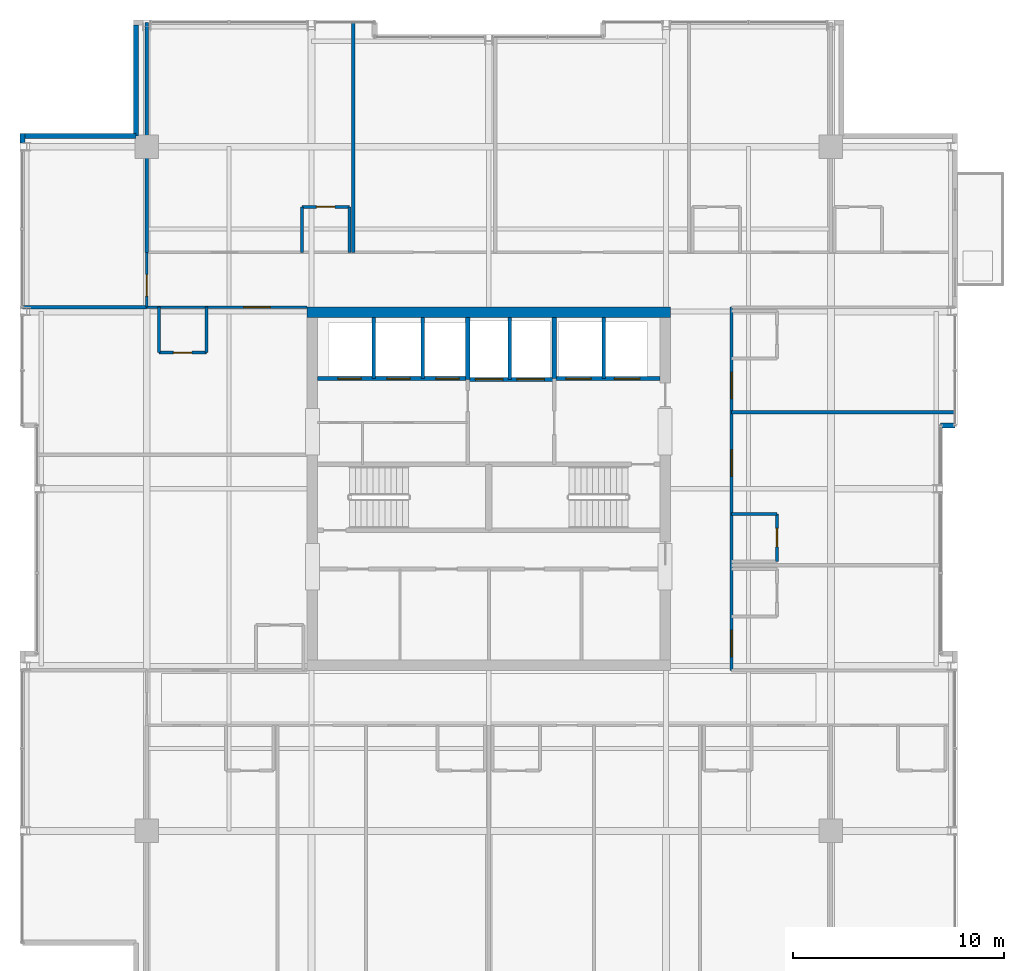
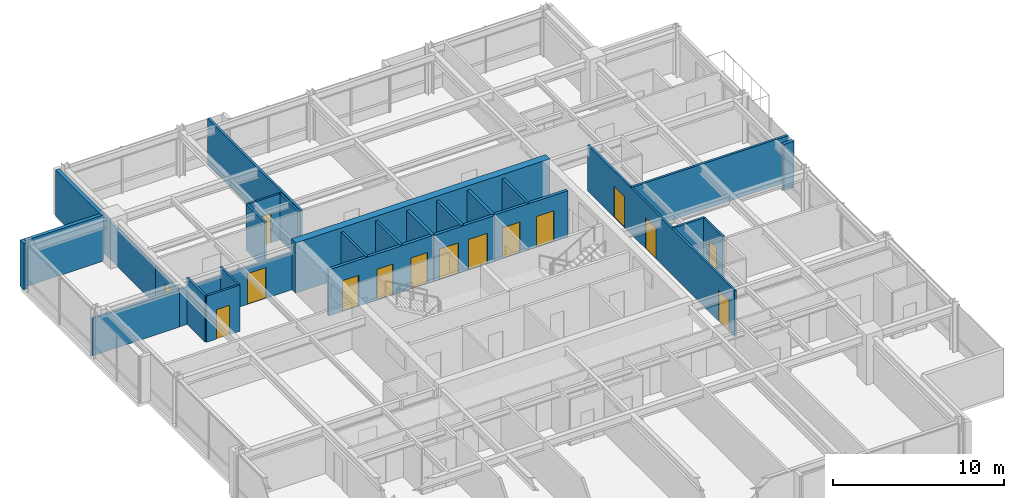
# One storey, part 30 of 34: 29 walls, 15 doors, 15 openings.
"""IFC4 building model written with IfcOpenShell, lengths in metres."""

from ifc_helpers import new_model, si_unit, direction, frame, frame_2d, origin, place, context, subcontext, project, spatial, rectangle, extrude, material, layer, layer_set, type_object, element, fill, save


model = new_model("IFC4")

# Units and contexts
model_context = context("Model", 3, precision=1e-05, world=origin(), true_north=direction((0.0, 1.0)))
body_context = subcontext(model_context, "Body", "Model", "MODEL_VIEW")
ifc_project = project(units=[si_unit("LENGTHUNIT", "METRE"), si_unit("AREAUNIT", "SQUARE_METRE"), si_unit("VOLUMEUNIT", "CUBIC_METRE"), si_unit("PLANEANGLEUNIT", "RADIAN"), si_unit("MASSUNIT", "GRAM", prefix="KILO")], contexts=[model_context])

# Site, building, storey
site_placement = place(None, origin())
site = spatial("IfcSite", under=ifc_project, at=site_placement, CompositionType="ELEMENT")
building_placement = place(site_placement, origin())
building = spatial("IfcBuilding", under=site, at=building_placement, Name="Drelvath Grand Hotel", CompositionType="ELEMENT")
storey_placement = place(building_placement, frame((0.0, 0.0, 251.89990234375)))
storey = spatial("IfcBuildingStorey", under=building, at=storey_placement, Name="L66", CompositionType="ELEMENT", Elevation=251.89990234375)

# Wall, openings, doors
ifc_material_1 = material(Name="Concrete C40/50", Category="concrete")
ifc_layer_1 = layer(ifc_material_1, 0.199951171875)
ifc_layer_set_1 = layer_set([ifc_layer_1], Name="Concrete C40/50")
wall_type_1 = type_object("IfcWallType", Name="Core Hoistway Fire Wall 200", PredefinedType="SOLIDWALL", material=ifc_layer_set_1)
wall_1_placement = place(storey_placement, frame((3.10009765625, 32.219970703125, 0.0), z_axis=(0.0, 0.0, 1.0), x_axis=(1.0, 0.0, 0.0)))
wall_1 = element("IfcWall", 1, at=wall_1_placement, inside=storey, type_object=wall_type_1, Name="L66 FSAE Hoistway Front Wall", PredefinedType="SOLIDWALL", context=body_context, shape_type="SweptSolid", body=[
    extrude(rectangle(XDim=5.0, YDim=0.199951171875, at=frame_2d((2.5, 0.0))), origin(), (0.0, 0.0, 1.0), 3.300048828125),
])
opening_1_placement = place(wall_1_placement, frame((0.550048828125, 0.0, 0.0)))
opening_1 = element("IfcOpeningElement", 2, at=opening_1_placement, cuts=wall_1, Name="Opening LD-FSAE-1", PredefinedType="OPENING", context=body_context, shape_type="SweptSolid", body=[
    extrude(rectangle(XDim=1.199951171875, YDim=2.199951171875, at=frame_2d((0.60009765625, 1.10009765625))), frame((0.0, 0.10986328125, 0.0), z_axis=(0.0, -1.0, 0.0), x_axis=(1.0, 0.0, 0.0)), (0.0, 0.0, 1.0), 0.219970703125),
])
opening_2_placement = place(wall_1_placement, frame((2.85009765625, 0.0, 0.0)))
opening_2 = element("IfcOpeningElement", 3, at=opening_2_placement, cuts=wall_1, Name="Opening LD-FSAE-2", PredefinedType="OPENING", context=body_context, shape_type="SweptSolid", body=[
    extrude(rectangle(XDim=1.199951171875, YDim=2.199951171875, at=frame_2d((0.60009765625, 1.10009765625))), frame((0.0, 0.10986328125, 0.0), z_axis=(0.0, -1.0, 0.0), x_axis=(1.0, 0.0, 0.0)), (0.0, 0.0, 1.0), 0.219970703125),
])
ifc_material_2 = material(Name="Stainless Steel S355", Category="steel")
door_type_1 = type_object("IfcDoorType", Name="FSAE Lift Sliding Landing Door 1200x2200", OperationType="NOTDEFINED", PredefinedType="DOOR", material=ifc_material_2)
door_1_placement = place(opening_1_placement, origin())
door_1 = element("IfcDoor", 4, at=door_1_placement, inside=storey, type_object=door_type_1, Name="L66 Lift FSAE-1 Landing Door", OperationType="SLIDING_TO_LEFT", OverallHeight=2.199951171875, OverallWidth=1.199951171875, PredefinedType="DOOR", context=body_context, shape_type="SweptSolid", body=[
    extrude(rectangle(XDim=1.199951171875, YDim=2.199951171875, at=frame_2d((0.60009765625, 1.10009765625))), frame((0.0, 0.02490234375, 0.0), z_axis=(0.0, -1.0, 0.0), x_axis=(1.0, 0.0, 0.0)), (0.0, 0.0, 1.0), 0.050048828125),
])
fill(opening_1, door_1)
door_2_placement = place(opening_2_placement, origin())
door_2 = element("IfcDoor", 5, at=door_2_placement, inside=storey, type_object=door_type_1, Name="L66 Lift FSAE-2 Landing Door", OperationType="SLIDING_TO_LEFT", OverallHeight=2.199951171875, OverallWidth=1.199951171875, PredefinedType="DOOR", context=body_context, shape_type="SweptSolid", body=[
    extrude(rectangle(XDim=1.199951171875, YDim=2.199951171875, at=frame_2d((0.60009765625, 1.10009765625))), frame((0.0, 0.02490234375, 0.0), z_axis=(0.0, -1.0, 0.0), x_axis=(1.0, 0.0, 0.0)), (0.0, 0.0, 1.0), 0.050048828125),
])
fill(opening_2, door_2)

# Wall
wall_2_placement = place(storey_placement, frame((3.10009765625, 32.219970703125, 0.0), z_axis=(0.0, 0.0, 1.0), x_axis=(0.0, 1.0, 0.0)))
element("IfcWall", 6, at=wall_2_placement, inside=storey, type_object=wall_type_1, Name="L66 FSAE Hoistway West Wall", PredefinedType="SOLIDWALL", context=body_context, shape_type="SweptSolid", body=[
    extrude(rectangle(XDim=2.880126953125, YDim=0.199951171875, at=frame_2d((1.43994140625, 0.0))), origin(), (0.0, 0.0, 1.0), 3.300048828125),
])

# Wall, openings, doors
wall_3_placement = place(storey_placement, frame((-1.0, 32.179931640625, 0.0), z_axis=(0.0, 0.0, 1.0), x_axis=(1.0, 0.0, 0.0)))
wall_3 = element("IfcWall", 7, at=wall_3_placement, inside=storey, type_object=wall_type_1, Name="L66 Service Lift Hoistway Wall", PredefinedType="SOLIDWALL", context=body_context, shape_type="SweptSolid", body=[
    extrude(rectangle(XDim=4.10009765625, YDim=0.199951171875, at=frame_2d((2.050048828125, 0.0))), origin(), (0.0, 0.0, 1.0), 3.300048828125),
])
opening_3_placement = place(wall_3_placement, frame((0.3701171875, 0.0, 0.0)))
opening_3 = element("IfcOpeningElement", 8, at=opening_3_placement, cuts=wall_3, Name="Opening LD-SV-2", PredefinedType="OPENING", context=body_context, shape_type="SweptSolid", body=[
    extrude(rectangle(XDim=1.300048828125, YDim=2.199951171875, at=frame_2d((0.64990234375, 1.10009765625))), frame((0.0, 0.10986328125, 0.0), z_axis=(0.0, -1.0, 0.0), x_axis=(1.0, 0.0, 0.0)), (0.0, 0.0, 1.0), 0.219970703125),
])
opening_4_placement = place(wall_3_placement, frame((2.330078125, 0.0, 0.0)))
opening_4 = element("IfcOpeningElement", 9, at=opening_4_placement, cuts=wall_3, Name="Opening LD-SV-1", PredefinedType="OPENING", context=body_context, shape_type="SweptSolid", body=[
    extrude(rectangle(XDim=1.300048828125, YDim=2.199951171875, at=frame_2d((0.64990234375, 1.10009765625))), frame((0.0, 0.10986328125, 0.0), z_axis=(0.0, -1.0, 0.0), x_axis=(1.0, 0.0, 0.0)), (0.0, 0.0, 1.0), 0.219970703125),
])
door_type_2 = type_object("IfcDoorType", Name="Service Lift Sliding Landing Door 1300x2200", OperationType="NOTDEFINED", PredefinedType="DOOR", material=ifc_material_2)
door_3_placement = place(opening_3_placement, origin())
door_3 = element("IfcDoor", 10, at=door_3_placement, inside=storey, type_object=door_type_2, Name="L66 Lift SV-2 Landing Door", OperationType="SLIDING_TO_LEFT", OverallHeight=2.199951171875, OverallWidth=1.300048828125, PredefinedType="DOOR", context=body_context, shape_type="SweptSolid", body=[
    extrude(rectangle(XDim=1.300048828125, YDim=2.199951171875, at=frame_2d((0.64990234375, 1.10009765625))), frame((0.0, 0.02490234375, 0.0), z_axis=(0.0, -1.0, 0.0), x_axis=(1.0, 0.0, 0.0)), (0.0, 0.0, 1.0), 0.050048828125),
])
fill(opening_3, door_3)
door_4_placement = place(opening_4_placement, origin())
door_4 = element("IfcDoor", 11, at=door_4_placement, inside=storey, type_object=door_type_2, Name="L66 Lift SV-1 Landing Door", OperationType="SLIDING_TO_LEFT", OverallHeight=2.199951171875, OverallWidth=1.300048828125, PredefinedType="DOOR", context=body_context, shape_type="SweptSolid", body=[
    extrude(rectangle(XDim=1.300048828125, YDim=2.199951171875, at=frame_2d((0.64990234375, 1.10009765625))), frame((0.0, 0.02490234375, 0.0), z_axis=(0.0, -1.0, 0.0), x_axis=(1.0, 0.0, 0.0)), (0.0, 0.0, 1.0), 0.050048828125),
])
fill(opening_4, door_4)

# Wall
wall_4_placement = place(storey_placement, frame((-1.0, 32.179931640625, 0.0), z_axis=(0.0, 0.0, 1.0), x_axis=(0.0, 1.0, 0.0)))
element("IfcWall", 12, at=wall_4_placement, inside=storey, type_object=wall_type_1, Name="L66 Service Lift West Wall", PredefinedType="SOLIDWALL", context=body_context, shape_type="SweptSolid", body=[
    extrude(rectangle(XDim=2.920166015625, YDim=0.199951171875, at=frame_2d((1.4599609375, 0.0))), origin(), (0.0, 0.0, 1.0), 3.300048828125),
])

# Wall, openings, doors
wall_5_placement = place(storey_placement, frame((-8.10009765625, 32.219970703125, 0.0), z_axis=(0.0, 0.0, 1.0), x_axis=(1.0, 0.0, 0.0)))
wall_5 = element("IfcWall", 13, at=wall_5_placement, inside=storey, type_object=wall_type_1, Name="L66 Bank 3 Hoistway Wall", PredefinedType="SOLIDWALL", context=body_context, shape_type="SweptSolid", body=[
    extrude(rectangle(XDim=7.10009765625, YDim=0.199951171875, at=frame_2d((3.550048828125, 0.0))), origin(), (0.0, 0.0, 1.0), 3.300048828125),
])
opening_5_placement = place(wall_5_placement, frame((0.949951171875, 0.0, 0.0)))
opening_5 = element("IfcOpeningElement", 14, at=opening_5_placement, cuts=wall_5, Name="Opening LD-PE-7", PredefinedType="OPENING", context=body_context, shape_type="SweptSolid", body=[
    extrude(rectangle(XDim=1.10009765625, YDim=2.199951171875, at=frame_2d((0.550048828125, 1.10009765625))), frame((0.0, 0.10986328125, 0.0), z_axis=(0.0, -1.0, 0.0), x_axis=(1.0, 0.0, 0.0)), (0.0, 0.0, 1.0), 0.219970703125),
])
opening_6_placement = place(wall_5_placement, frame((3.27001953125, 0.0, 0.0)))
opening_6 = element("IfcOpeningElement", 15, at=opening_6_placement, cuts=wall_5, Name="Opening LD-PE-8", PredefinedType="OPENING", context=body_context, shape_type="SweptSolid", body=[
    extrude(rectangle(XDim=1.10009765625, YDim=2.199951171875, at=frame_2d((0.550048828125, 1.10009765625))), frame((0.0, 0.10986328125, 0.0), z_axis=(0.0, -1.0, 0.0), x_axis=(1.0, 0.0, 0.0)), (0.0, 0.0, 1.0), 0.219970703125),
])
opening_7_placement = place(wall_5_placement, frame((5.590087890625, 0.0, 0.0)))
opening_7 = element("IfcOpeningElement", 16, at=opening_7_placement, cuts=wall_5, Name="Opening LD-PE-9", PredefinedType="OPENING", context=body_context, shape_type="SweptSolid", body=[
    extrude(rectangle(XDim=1.10009765625, YDim=2.199951171875, at=frame_2d((0.550048828125, 1.10009765625))), frame((0.0, 0.10986328125, 0.0), z_axis=(0.0, -1.0, 0.0), x_axis=(1.0, 0.0, 0.0)), (0.0, 0.0, 1.0), 0.219970703125),
])
door_type_3 = type_object("IfcDoorType", Name="Passenger Lift Sliding Landing Door 1100x2200", OperationType="NOTDEFINED", PredefinedType="DOOR", material=ifc_material_2)
door_5_placement = place(opening_5_placement, origin())
door_5 = element("IfcDoor", 17, at=door_5_placement, inside=storey, type_object=door_type_3, Name="L66 Lift PE-7 Landing Door", OperationType="SLIDING_TO_LEFT", OverallHeight=2.199951171875, OverallWidth=1.10009765625, PredefinedType="DOOR", context=body_context, shape_type="SweptSolid", body=[
    extrude(rectangle(XDim=1.10009765625, YDim=2.199951171875, at=frame_2d((0.550048828125, 1.10009765625))), frame((0.0, 0.02490234375, 0.0), z_axis=(0.0, -1.0, 0.0), x_axis=(1.0, 0.0, 0.0)), (0.0, 0.0, 1.0), 0.050048828125),
])
fill(opening_5, door_5)
door_6_placement = place(opening_6_placement, origin())
door_6 = element("IfcDoor", 18, at=door_6_placement, inside=storey, type_object=door_type_3, Name="L66 Lift PE-8 Landing Door", OperationType="SLIDING_TO_LEFT", OverallHeight=2.199951171875, OverallWidth=1.10009765625, PredefinedType="DOOR", context=body_context, shape_type="SweptSolid", body=[
    extrude(rectangle(XDim=1.10009765625, YDim=2.199951171875, at=frame_2d((0.550048828125, 1.10009765625))), frame((0.0, 0.02490234375, 0.0), z_axis=(0.0, -1.0, 0.0), x_axis=(1.0, 0.0, 0.0)), (0.0, 0.0, 1.0), 0.050048828125),
])
fill(opening_6, door_6)
door_7_placement = place(opening_7_placement, origin())
door_7 = element("IfcDoor", 19, at=door_7_placement, inside=storey, type_object=door_type_3, Name="L66 Lift PE-9 Landing Door", OperationType="SLIDING_TO_LEFT", OverallHeight=2.199951171875, OverallWidth=1.10009765625, PredefinedType="DOOR", context=body_context, shape_type="SweptSolid", body=[
    extrude(rectangle(XDim=1.10009765625, YDim=2.199951171875, at=frame_2d((0.550048828125, 1.10009765625))), frame((0.0, 0.02490234375, 0.0), z_axis=(0.0, -1.0, 0.0), x_axis=(1.0, 0.0, 0.0)), (0.0, 0.0, 1.0), 0.050048828125),
])
fill(opening_7, door_7)

# Walls
ifc_material_3 = material(Name="Gypsum Fireboard Partition")
ifc_layer_2 = layer(ifc_material_3, 0.1650390625)
ifc_layer_set_2 = layer_set([ifc_layer_2], Name="Gypsum Fireboard Partition")
wall_type_2 = type_object("IfcWallType", Name="Core Shaft Partition 165", PredefinedType="PARTITIONING", material=ifc_layer_set_2)
wall_6_placement = place(storey_placement, frame((5.449951171875, 32.219970703125, 0.0), z_axis=(0.0, 0.0, 1.0), x_axis=(0.0, 1.0, 0.0)))
element("IfcWall", 20, at=wall_6_placement, inside=storey, type_object=wall_type_2, Name="L66 FSAE Hoistway Divider", PredefinedType="PARTITIONING", context=body_context, shape_type="SweptSolid", body=[
    extrude(rectangle(XDim=2.880126953125, YDim=0.1650390625, at=frame_2d((1.43994140625, 0.0))), origin(), (0.0, 0.0, 1.0), 3.300048828125),
])
wall_7_placement = place(storey_placement, frame((1.0, 32.179931640625, 0.0), z_axis=(0.0, 0.0, 1.0), x_axis=(0.0, 1.0, 0.0)))
element("IfcWall", 21, at=wall_7_placement, inside=storey, type_object=wall_type_2, Name="L66 Service Lift Divider", PredefinedType="PARTITIONING", context=body_context, shape_type="SweptSolid", body=[
    extrude(rectangle(XDim=2.920166015625, YDim=0.1650390625, at=frame_2d((1.4599609375, 0.0))), origin(), (0.0, 0.0, 1.0), 3.300048828125),
])
for number, where, z_axis, x_axis, name in (
    (22, (-5.43994140625, 32.219970703125, 0.0), (0.0, 0.0, 1.0), (0.0, 1.0, 0.0), "L66 Lift PE-7/8 Divider"),
    (23, (-3.1201171875, 32.219970703125, 0.0), (0.0, 0.0, 1.0), (0.0, 1.0, 0.0), "L66 Lift PE-8/9 Divider"),
):
    element("IfcWall", number, at=place(storey_placement, frame(where, z_axis=z_axis, x_axis=x_axis)), inside=storey, type_object=wall_type_2, Name=name, PredefinedType="PARTITIONING", context=body_context, shape_type="SweptSolid", body=[
        extrude(rectangle(XDim=2.880126953125, YDim=0.1650390625, at=frame_2d((1.43994140625, 0.0))), origin(), (0.0, 0.0, 1.0), 3.300048828125),
    ])

# Wall, opening, door
ifc_layer_3 = layer(ifc_material_3, 0.135009765625)
ifc_layer_set_3 = layer_set([ifc_layer_3], Name="Gypsum Fireboard Partition")
wall_type_3 = type_object("IfcWallType", Name="Corridor Fire Barrier Wall 135", PredefinedType="PARTITIONING", material=ifc_layer_set_3)
wall_8_placement = place(storey_placement, frame((-16.199951171875, 35.60009765625, 0.0), z_axis=(0.0, 0.0, 1.0), x_axis=(1.0, 0.0, 0.0)))
wall_8 = element("IfcWall", 24, at=wall_8_placement, inside=storey, type_object=wall_type_3, Name="L66 North Gallery Inner West Wall", PredefinedType="PARTITIONING", context=body_context, shape_type="SweptSolid", body=[
    extrude(rectangle(XDim=7.599853515625, YDim=0.135009765625, at=frame_2d((3.7998046875, 0.0))), origin(), (0.0, 0.0, 1.0), 2.677490234375),
])
opening_8_placement = place(wall_8_placement, frame((4.5849609375, 0.0, 0.0)))
opening_8 = element("IfcOpeningElement", 25, at=opening_8_placement, cuts=wall_8, Name="Opening D-T4G5-051", PredefinedType="OPENING", context=body_context, shape_type="SweptSolid", body=[
    extrude(rectangle(XDim=1.260009765625, YDim=2.199951171875, at=frame_2d((0.6298828125, 1.10009765625))), frame((0.0, 0.077392578125, 0.0), z_axis=(0.0, -1.0, 0.0), x_axis=(1.0, 0.0, 0.0)), (0.0, 0.0, 1.0), 0.155029296875),
])
ifc_material_4 = material(Name="Hardwood Walnut Timber", Category="wood")
door_type_4 = type_object("IfcDoorType", Name="Suite Entrance Fire Door 1260x2200", OperationType="NOTDEFINED", PredefinedType="DOOR", material=ifc_material_4)
door_8_placement = place(opening_8_placement, origin())
door_8 = element("IfcDoor", 26, at=door_8_placement, inside=storey, type_object=door_type_4, Name="L66 Diplomatic Suite Entry Door", OperationType="SINGLE_SWING_RIGHT", OverallHeight=2.199951171875, OverallWidth=1.260009765625, PredefinedType="DOOR", context=body_context, shape_type="SweptSolid", body=[
    extrude(rectangle(XDim=1.260009765625, YDim=2.199951171875, at=frame_2d((0.6298828125, 1.10009765625))), frame((0.0, 0.02490234375, 0.0), z_axis=(0.0, -1.0, 0.0), x_axis=(1.0, 0.0, 0.0)), (0.0, 0.0, 1.0), 0.050048828125),
])
fill(opening_8, door_8)

# Wall, openings, doors
wall_9_placement = place(storey_placement, frame((11.5, 18.39990234375, 0.0), z_axis=(0.0, 0.0, 1.0), x_axis=(0.0, 1.0, 0.0)))
wall_9 = element("IfcWall", 27, at=wall_9_placement, inside=storey, type_object=wall_type_3, Name="L66 East Gallery Link Wall", PredefinedType="PARTITIONING", context=body_context, shape_type="SweptSolid", body=[
    extrude(rectangle(XDim=17.2001953125, YDim=0.135009765625, at=frame_2d((8.60009765625, 0.0))), origin(), (0.0, 0.0, 1.0), 3.300048828125),
])
opening_9_placement = place(wall_9_placement, frame((0.64453125, 0.0, 0.0)))
opening_9 = element("IfcOpeningElement", 28, at=opening_9_placement, cuts=wall_9, Name="Opening D-T4G5-043", PredefinedType="OPENING", context=body_context, shape_type="SweptSolid", body=[
    extrude(rectangle(XDim=1.260009765625, YDim=2.199951171875, at=frame_2d((0.6298828125, 1.10009765625))), frame((0.0, 0.077392578125, 0.0), z_axis=(0.0, -1.0, 0.0), x_axis=(1.0, 0.0, 0.0)), (0.0, 0.0, 1.0), 0.155029296875),
])
opening_10_placement = place(wall_9_placement, frame((9.18505859375, 0.0, 0.0)))
opening_10 = element("IfcOpeningElement", 29, at=opening_10_placement, cuts=wall_9, Name="Opening D-T4G5-045", PredefinedType="OPENING", context=body_context, shape_type="SweptSolid", body=[
    extrude(rectangle(XDim=1.260009765625, YDim=2.199951171875, at=frame_2d((0.6298828125, 1.10009765625))), frame((0.0, 0.077392578125, 0.0), z_axis=(0.0, -1.0, 0.0), x_axis=(1.0, 0.0, 0.0)), (0.0, 0.0, 1.0), 0.155029296875),
])
opening_11_placement = place(wall_9_placement, frame((12.865478515625, 0.0, 0.0)))
opening_11 = element("IfcOpeningElement", 30, at=opening_11_placement, cuts=wall_9, Name="Opening D-T4G5-047", PredefinedType="OPENING", context=body_context, shape_type="SweptSolid", body=[
    extrude(rectangle(XDim=1.260009765625, YDim=2.199951171875, at=frame_2d((0.6298828125, 1.10009765625))), frame((0.0, 0.077392578125, 0.0), z_axis=(0.0, -1.0, 0.0), x_axis=(1.0, 0.0, 0.0)), (0.0, 0.0, 1.0), 0.155029296875),
])
door_9_placement = place(opening_9_placement, origin())
door_9 = element("IfcDoor", 31, at=door_9_placement, inside=storey, type_object=door_type_4, Name="L66 Diplomatic Suite Entry Door", OperationType="SINGLE_SWING_RIGHT", OverallHeight=2.199951171875, OverallWidth=1.260009765625, PredefinedType="DOOR", context=body_context, shape_type="SweptSolid", body=[
    extrude(rectangle(XDim=1.260009765625, YDim=2.199951171875, at=frame_2d((0.6298828125, 1.10009765625))), frame((0.0, 0.02490234375, 0.0), z_axis=(0.0, -1.0, 0.0), x_axis=(1.0, 0.0, 0.0)), (0.0, 0.0, 1.0), 0.050048828125),
])
fill(opening_9, door_9)
door_10_placement = place(opening_10_placement, origin())
door_10 = element("IfcDoor", 32, at=door_10_placement, inside=storey, type_object=door_type_4, Name="L66 Diplomatic Suite Entry Door", OperationType="SINGLE_SWING_RIGHT", OverallHeight=2.199951171875, OverallWidth=1.260009765625, PredefinedType="DOOR", context=body_context, shape_type="SweptSolid", body=[
    extrude(rectangle(XDim=1.260009765625, YDim=2.199951171875, at=frame_2d((0.6298828125, 1.10009765625))), frame((0.0, 0.02490234375, 0.0), z_axis=(0.0, -1.0, 0.0), x_axis=(1.0, 0.0, 0.0)), (0.0, 0.0, 1.0), 0.050048828125),
])
fill(opening_10, door_10)
door_11_placement = place(opening_11_placement, origin())
door_11 = element("IfcDoor", 33, at=door_11_placement, inside=storey, type_object=door_type_4, Name="L66 Diplomatic Suite Entry Door", OperationType="SINGLE_SWING_RIGHT", OverallHeight=2.199951171875, OverallWidth=1.260009765625, PredefinedType="DOOR", context=body_context, shape_type="SweptSolid", body=[
    extrude(rectangle(XDim=1.260009765625, YDim=2.199951171875, at=frame_2d((0.6298828125, 1.10009765625))), frame((0.0, 0.02490234375, 0.0), z_axis=(0.0, -1.0, 0.0), x_axis=(1.0, 0.0, 0.0)), (0.0, 0.0, 1.0), 0.050048828125),
])
fill(opening_11, door_11)

# Wall, opening, door
wall_10_placement = place(storey_placement, frame((-16.199951171875, 35.60009765625, 0.0), z_axis=(0.0, 0.0, 1.0), x_axis=(0.0, 1.0, 0.0)))
wall_10 = element("IfcWall", 34, at=wall_10_placement, inside=storey, type_object=wall_type_3, Name="L66 North Gallery West End", PredefinedType="PARTITIONING", context=body_context, shape_type="SweptSolid", body=[
    extrude(rectangle(XDim=2.599853515625, YDim=0.135009765625, at=frame_2d((1.2998046875, 0.0))), origin(), (0.0, 0.0, 1.0), 2.673828125),
])
opening_12_placement = place(wall_10_placement, frame((0.52001953125, 0.0, 0.0)))
opening_12 = element("IfcOpeningElement", 35, at=opening_12_placement, cuts=wall_10, Name="Opening D-T4G5-021", PredefinedType="OPENING", context=body_context, shape_type="SweptSolid", body=[
    extrude(rectangle(XDim=1.02001953125, YDim=2.14990234375, at=frame_2d((0.510009765625, 1.074951171875))), frame((0.0, 0.077392578125, 0.0), z_axis=(0.0, -1.0, 0.0), x_axis=(1.0, 0.0, 0.0)), (0.0, 0.0, 1.0), 0.155029296875),
])
door_type_5 = type_object("IfcDoorType", Name="Amenity Meeting Fire Door 1020x2150", OperationType="NOTDEFINED", PredefinedType="DOOR", material=ifc_material_4)
door_12_placement = place(opening_12_placement, origin())
door_12 = element("IfcDoor", 36, at=door_12_placement, inside=storey, type_object=door_type_5, Name="L66 Corner Panorama Lounge Door", OperationType="SINGLE_SWING_RIGHT", OverallHeight=2.14990234375, OverallWidth=1.02001953125, PredefinedType="DOOR", context=body_context, shape_type="SweptSolid", body=[
    extrude(rectangle(XDim=1.02001953125, YDim=2.14990234375, at=frame_2d((0.510009765625, 1.074951171875))), frame((0.0, 0.02490234375, 0.0), z_axis=(0.0, -1.0, 0.0), x_axis=(1.0, 0.0, 0.0)), (0.0, 0.0, 1.0), 0.050048828125),
])
fill(opening_12, door_12)

# Walls
ifc_material_5 = material(Name="Moisture-Resistant Gypsum Board")
ifc_layer_4 = layer(ifc_material_5, 0.139892578125)
ifc_layer_set_4 = layer_set([ifc_layer_4], Name="Moisture-Resistant Gypsum Board")
wall_type_4 = type_object("IfcWallType", Name="En-Suite Plumbing Wall 140", PredefinedType="PLUMBINGWALL", material=ifc_layer_set_4)
for number, where, z_axis, x_axis, name in (
    (37, (-8.848876953125, 38.199951171875, 0.0), (0.0, 0.0, 1.0), (0.0, 1.0, 0.0), "L66 En-Suite Left Wall"),
    (38, (-6.598876953125, 38.199951171875, 0.0), (0.0, 0.0, 1.0), (0.0, 1.0, 0.0), "L66 En-Suite Right Wall"),
):
    element("IfcWall", number, at=place(storey_placement, frame(where, z_axis=z_axis, x_axis=x_axis)), inside=storey, type_object=wall_type_4, Name=name, PredefinedType="PLUMBINGWALL", context=body_context, shape_type="SweptSolid", body=[
        extrude(rectangle(XDim=2.150146484375, YDim=0.139892578125, at=frame_2d((1.0751953125, 0.0))), origin(), (0.0, 0.0, 1.0), 3.300048828125),
    ])

# Wall, opening, door
wall_11_placement = place(storey_placement, frame((-8.848876953125, 40.35009765625, 0.0), z_axis=(0.0, 0.0, 1.0), x_axis=(1.0, 0.0, 0.0)))
wall_11 = element("IfcWall", 39, at=wall_11_placement, inside=storey, type_object=wall_type_4, Name="L66 En-Suite Front Wall", PredefinedType="PLUMBINGWALL", context=body_context, shape_type="SweptSolid", body=[
    extrude(rectangle(XDim=2.25, YDim=0.139892578125, at=frame_2d((1.125, 0.0))), origin(), (0.0, 0.0, 1.0), 3.300048828125),
])
opening_13_placement = place(wall_11_placement, frame((0.68505859375, 0.0, 0.0)))
opening_13 = element("IfcOpeningElement", 40, at=opening_13_placement, cuts=wall_11, Name="Opening D-T4G5-036", PredefinedType="OPENING", context=body_context, shape_type="SweptSolid", body=[
    extrude(rectangle(XDim=0.8798828125, YDim=2.10009765625, at=frame_2d((0.43994140625, 1.050048828125))), frame((0.0, 0.079833984375, 0.0), z_axis=(0.0, -1.0, 0.0), x_axis=(1.0, 0.0, 0.0)), (0.0, 0.0, 1.0), 0.159912109375),
])
door_type_6 = type_object("IfcDoorType", Name="En-Suite Bathroom Door 880x2100", OperationType="NOTDEFINED", PredefinedType="DOOR", material=ifc_material_4)
door_13_placement = place(opening_13_placement, origin())
door_13 = element("IfcDoor", 41, at=door_13_placement, inside=storey, type_object=door_type_6, Name="L66 En-Suite Bathroom Door", OperationType="SINGLE_SWING_LEFT", OverallHeight=2.10009765625, OverallWidth=0.8798828125, PredefinedType="DOOR", context=body_context, shape_type="SweptSolid", body=[
    extrude(rectangle(XDim=0.8798828125, YDim=2.10009765625, at=frame_2d((0.43994140625, 1.050048828125))), frame((0.0, 0.02490234375, 0.0), z_axis=(0.0, -1.0, 0.0), x_axis=(1.0, 0.0, 0.0)), (0.0, 0.0, 1.0), 0.050048828125),
])
fill(opening_13, door_13)

# Wall
wall_12_placement = place(storey_placement, frame((11.5, 25.808837890625, 0.0), z_axis=(0.0, 0.0, 1.0), x_axis=(1.0, 0.0, 0.0)))
element("IfcWall", 42, at=wall_12_placement, inside=storey, type_object=wall_type_4, Name="L66 En-Suite Right Wall", PredefinedType="PLUMBINGWALL", context=body_context, shape_type="SweptSolid", body=[
    extrude(rectangle(XDim=2.14990234375, YDim=0.139892578125, at=frame_2d((1.074951171875, 0.0))), origin(), (0.0, 0.0, 1.0), 3.300048828125),
])

# Wall, opening, door
wall_13_placement = place(storey_placement, frame((13.64990234375, 23.558837890625, 0.0), z_axis=(0.0, 0.0, 1.0), x_axis=(0.0, 1.0, 0.0)))
wall_13 = element("IfcWall", 43, at=wall_13_placement, inside=storey, type_object=wall_type_4, Name="L66 En-Suite Front Wall", PredefinedType="PLUMBINGWALL", context=body_context, shape_type="SweptSolid", body=[
    extrude(rectangle(XDim=2.25, YDim=0.139892578125, at=frame_2d((1.125, 0.0))), origin(), (0.0, 0.0, 1.0), 3.300048828125),
])
opening_14_placement = place(wall_13_placement, frame((0.68505859375, 0.0, 0.0)))
opening_14 = element("IfcOpeningElement", 44, at=opening_14_placement, cuts=wall_13, Name="Opening D-T4G5-044", PredefinedType="OPENING", context=body_context, shape_type="SweptSolid", body=[
    extrude(rectangle(XDim=0.8798828125, YDim=2.10009765625, at=frame_2d((0.43994140625, 1.050048828125))), frame((0.0, 0.079833984375, 0.0), z_axis=(0.0, -1.0, 0.0), x_axis=(1.0, 0.0, 0.0)), (0.0, 0.0, 1.0), 0.159912109375),
])
door_14_placement = place(opening_14_placement, origin())
door_14 = element("IfcDoor", 45, at=door_14_placement, inside=storey, type_object=door_type_6, Name="L66 En-Suite Bathroom Door", OperationType="SINGLE_SWING_LEFT", OverallHeight=2.10009765625, OverallWidth=0.8798828125, PredefinedType="DOOR", context=body_context, shape_type="SweptSolid", body=[
    extrude(rectangle(XDim=0.8798828125, YDim=2.10009765625, at=frame_2d((0.43994140625, 1.050048828125))), frame((0.0, 0.02490234375, 0.0), z_axis=(0.0, -1.0, 0.0), x_axis=(1.0, 0.0, 0.0)), (0.0, 0.0, 1.0), 0.050048828125),
])
fill(opening_14, door_14)

# Walls
for number, where, z_axis, x_axis, name in (
    (46, (-15.6201171875, 35.60009765625, 0.0), (0.0, 0.0, 1.0), (0.0, -1.0, 0.0), "L66 En-Suite Left Wall"),
    (47, (-13.3701171875, 35.60009765625, 0.0), (0.0, 0.0, 1.0), (0.0, -1.0, 0.0), "L66 En-Suite Right Wall"),
):
    element("IfcWall", number, at=place(storey_placement, frame(where, z_axis=z_axis, x_axis=x_axis)), inside=storey, type_object=wall_type_4, Name=name, PredefinedType="PLUMBINGWALL", context=body_context, shape_type="SweptSolid", body=[
        extrude(rectangle(XDim=2.150146484375, YDim=0.139892578125, at=frame_2d((1.0751953125, 0.0))), origin(), (0.0, 0.0, 1.0), 3.300048828125),
    ])

# Wall, opening, door
wall_14_placement = place(storey_placement, frame((-15.6201171875, 33.449951171875, 0.0), z_axis=(0.0, 0.0, 1.0), x_axis=(1.0, 0.0, 0.0)))
wall_14 = element("IfcWall", 48, at=wall_14_placement, inside=storey, type_object=wall_type_4, Name="L66 En-Suite Front Wall", PredefinedType="PLUMBINGWALL", context=body_context, shape_type="SweptSolid", body=[
    extrude(rectangle(XDim=2.25, YDim=0.139892578125, at=frame_2d((1.125, 0.0))), origin(), (0.0, 0.0, 1.0), 3.300048828125),
])
opening_15_placement = place(wall_14_placement, frame((0.68505859375, 0.0, 0.0)))
opening_15 = element("IfcOpeningElement", 49, at=opening_15_placement, cuts=wall_14, Name="Opening D-T4G5-050", PredefinedType="OPENING", context=body_context, shape_type="SweptSolid", body=[
    extrude(rectangle(XDim=0.8798828125, YDim=2.10009765625, at=frame_2d((0.43994140625, 1.050048828125))), frame((0.0, 0.079833984375, 0.0), z_axis=(0.0, -1.0, 0.0), x_axis=(1.0, 0.0, 0.0)), (0.0, 0.0, 1.0), 0.159912109375),
])
door_15_placement = place(opening_15_placement, origin())
door_15 = element("IfcDoor", 50, at=door_15_placement, inside=storey, type_object=door_type_6, Name="L66 En-Suite Bathroom Door", OperationType="SINGLE_SWING_LEFT", OverallHeight=2.10009765625, OverallWidth=0.8798828125, PredefinedType="DOOR", context=body_context, shape_type="SweptSolid", body=[
    extrude(rectangle(XDim=0.8798828125, YDim=2.10009765625, at=frame_2d((0.43994140625, 1.050048828125))), frame((0.0, 0.02490234375, 0.0), z_axis=(0.0, -1.0, 0.0), x_axis=(1.0, 0.0, 0.0)), (0.0, 0.0, 1.0), 0.050048828125),
])
fill(opening_15, door_15)

# Walls
ifc_material_6 = material(Name="Gypsum Acoustic Partition")
ifc_layer_5 = layer(ifc_material_6, 0.14990234375)
ifc_layer_set_5 = layer_set([ifc_layer_5], Name="Gypsum Acoustic Partition")
wall_type_5 = type_object("IfcWallType", Name="Guestroom Demising Wall 150", PredefinedType="PARTITIONING", material=ifc_layer_set_5)
wall_15_placement = place(storey_placement, frame((-6.4189453125, 38.199951171875, 0.0), z_axis=(0.0, 0.0, 1.0), x_axis=(0.0, 1.0, 0.0)))
element("IfcWall", 51, at=wall_15_placement, inside=storey, type_object=wall_type_5, Name="L66 North Demising 1", PredefinedType="PARTITIONING", context=body_context, shape_type="SweptSolid", body=[
    extrude(rectangle(XDim=10.880126953125, YDim=0.14990234375, at=frame_2d((5.43994140625, 0.0))), origin(), (0.0, 0.0, 1.0), 3.300048828125),
])
wall_16_placement = place(storey_placement, frame((11.5, 30.62109375, 0.0), z_axis=(0.0, 0.0, 1.0), x_axis=(1.0, 0.0, 0.0)))
element("IfcWall", 52, at=wall_16_placement, inside=storey, type_object=wall_type_5, Name="L66 East Demising 2", PredefinedType="PARTITIONING", context=body_context, shape_type="SweptSolid", body=[
    extrude(rectangle(XDim=10.580078125, YDim=0.14990234375, at=frame_2d((5.2900390625, 0.0))), origin(), (0.0, 0.0, 1.0), 3.300048828125),
])
ifc_layer_6 = layer(ifc_material_6, 0.1650390625)
ifc_layer_set_6 = layer_set([ifc_layer_6], Name="Gypsum Acoustic Partition")
wall_type_6 = type_object("IfcWallType", Name="Suite Demising Wall 165", PredefinedType="PARTITIONING", material=ifc_layer_set_6)
wall_17_placement = place(storey_placement, frame((-16.199951171875, 38.199951171875, 0.0), z_axis=(0.0, 0.0, 1.0), x_axis=(0.0, 1.0, 0.0)))
element("IfcWall", 53, at=wall_17_placement, inside=storey, type_object=wall_type_6, Name="L66 NW Suite Wall", PredefinedType="PARTITIONING", context=body_context, shape_type="SweptSolid", body=[
    extrude(rectangle(XDim=10.880126953125, YDim=0.1650390625, at=frame_2d((5.43994140625, 0.0))), origin(), (0.0, 0.0, 1.0), 2.673828125),
])
wall_18_placement = place(storey_placement, frame((-22.080078125, 35.60009765625, 0.0), z_axis=(0.0, 0.0, 1.0), x_axis=(1.0, 0.0, 0.0)))
element("IfcWall", 54, at=wall_18_placement, inside=storey, type_object=wall_type_6, Name="L66 NW Corner South Wall", PredefinedType="PARTITIONING", context=body_context, shape_type="SweptSolid", body=[
    extrude(rectangle(XDim=5.880126953125, YDim=0.1650390625, at=frame_2d((2.93994140625, 0.0))), origin(), (0.0, 0.0, 1.0), 2.673828125),
])
ifc_material_7 = material(Name="Pale-Metal Insulated Aluminium Spandrel Assembly", Category="aluminium")
ifc_layer_7 = layer(ifc_material_7, 0.239990234375)
ifc_layer_set_7 = layer_set([ifc_layer_7], Name="Pale-Metal Insulated Aluminium Spandrel Assembly")
wall_type_7 = type_object("IfcWallType", Name="Tower Insulated Metal Spandrel Closure Wall 240", PredefinedType="STANDARD", material=ifc_layer_set_7)
wall_19_placement = place(storey_placement, frame((-22.080078125, 43.378173828125, 0.0), z_axis=(0.0, 0.0, 1.0), x_axis=(0.0, 1.0, 0.0)))
element("IfcWall", 55, at=wall_19_placement, inside=storey, type_object=wall_type_7, Name="L66 Corner Pier Spandrel Wall WN3", PredefinedType="STANDARD", context=body_context, shape_type="SweptSolid", body=[
    extrude(rectangle(XDim=0.44189453125, YDim=0.239990234375, at=frame_2d((0.220947265625, 0.0))), origin(), (0.0, 0.0, 1.0), 3.300048828125),
])
for number, where, z_axis, x_axis, name in (
    (56, (-21.9599609375, 43.699951171875, 0.0), (0.0, 0.0, 1.0), (1.0, 0.0, 0.0), "L66 Notched Corner Return Spandrel Wall CNW1"),
    (57, (-16.699951171875, 43.699951171875, 0.0), (0.0, 0.0, 1.0), (0.0, 1.0, 0.0), "L66 Notched Corner Return Spandrel Wall CNW2"),
):
    element("IfcWall", number, at=place(storey_placement, frame(where, z_axis=z_axis, x_axis=x_axis)), inside=storey, type_object=wall_type_7, Name=name, PredefinedType="STANDARD", context=body_context, shape_type="SweptSolid", body=[
        extrude(rectangle(XDim=5.260009765625, YDim=0.239990234375, at=frame_2d((2.6298828125, 0.0))), origin(), (0.0, 0.0, 1.0), 3.300048828125),
    ])
wall_20_placement = place(storey_placement, frame((22.080078125, 30.0, 0.0), z_axis=(0.0, 0.0, 1.0), x_axis=(-1.0, 0.0, 0.0)))
element("IfcWall", 58, at=wall_20_placement, inside=storey, type_object=wall_type_7, Name="L66 Notched Corner Return Spandrel Wall RE1", PredefinedType="STANDARD", context=body_context, shape_type="SweptSolid", body=[
    extrude(rectangle(XDim=0.68017578125, YDim=0.239990234375, at=frame_2d((0.340087890625, 0.0))), origin(), (0.0, 0.0, 1.0), 3.300048828125),
])
ifc_material_8 = material(Name="Concrete f'c 55 MPa", Category="concrete")
ifc_layer_8 = layer(ifc_material_8, 0.5)
ifc_layer_set_8 = layer_set([ifc_layer_8], Name="Concrete f'c 55 MPa")
wall_type_8 = type_object("IfcWallType", Name="Upper Core RC Shear Wall 500", PredefinedType="SHEAR", material=ifc_layer_set_8)
wall_21_placement = place(storey_placement, frame((-8.60009765625, 35.35009765625, 0.0), z_axis=(0.0, 0.0, 1.0), x_axis=(1.0, 0.0, 0.0)))
element("IfcWall", 59, at=wall_21_placement, inside=storey, type_object=wall_type_8, Name="L66 Central Core Shear Wall N", PredefinedType="SHEAR", context=body_context, shape_type="SweptSolid", body=[
    extrude(rectangle(XDim=17.2001953125, YDim=0.5, at=frame_2d((8.60009765625, 0.0))), origin(), (0.0, 0.0, 1.0), 3.60009765625),
])

save(model, "model.ifc")
